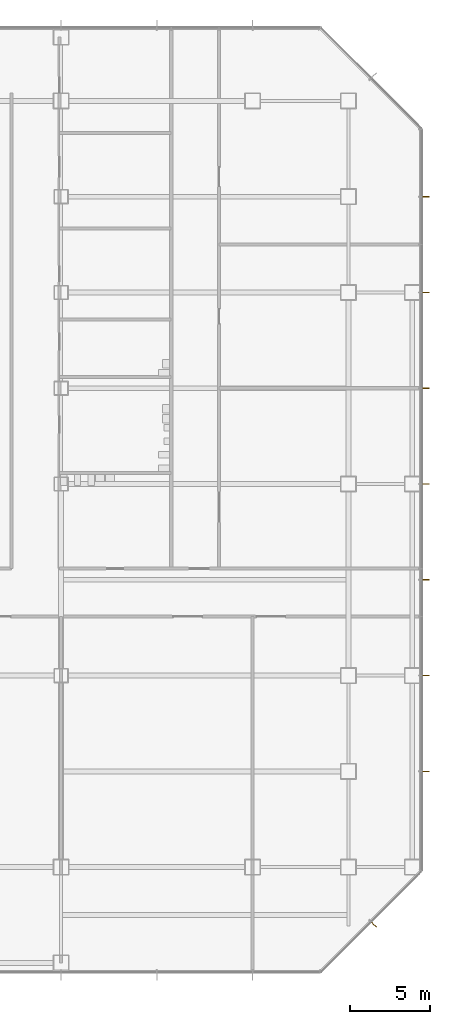
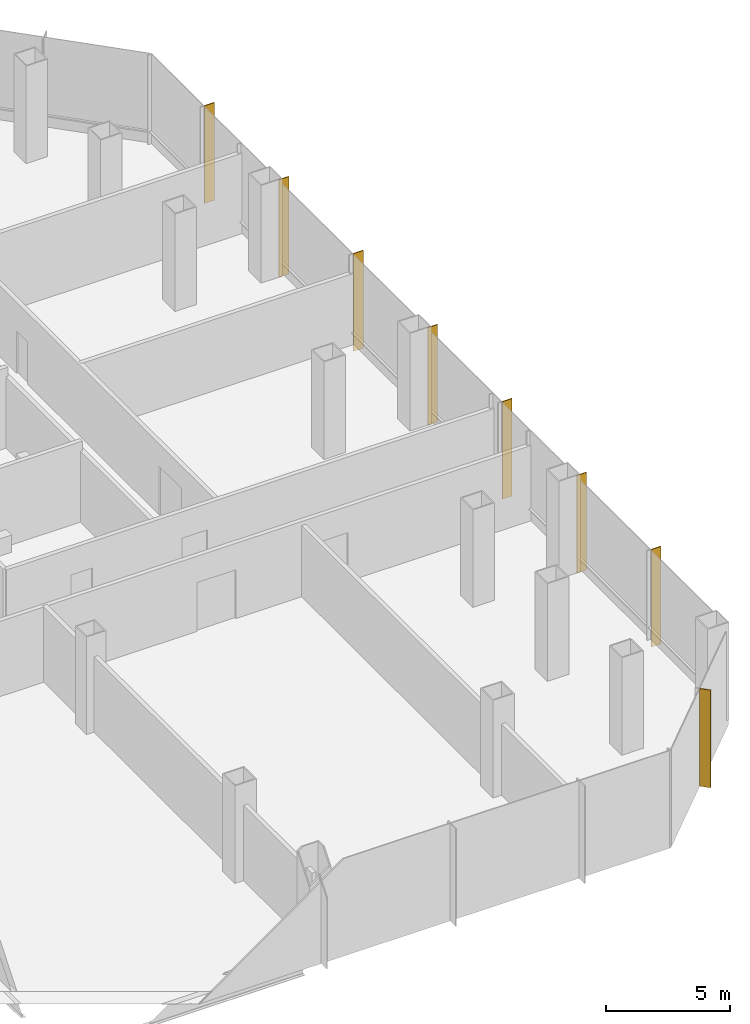
# One storey, part 31 of 33: 8 shading devices.
"""IFC4 building model written with IfcOpenShell, lengths in metres."""

from ifc_helpers import new_model, si_unit, direction, frame, origin, origin_2d, place, context, subcontext, project, spatial, rectangle, extrude, material, material_profile, profile_set, type_object, element, save


model = new_model("IFC4")

# Units and contexts
model_context = context("Model", 3, precision=1e-05, world=origin(), true_north=direction((0.0, 1.0)))
body_context = subcontext(model_context, "Body", "Model", "MODEL_VIEW")
ifc_project = project(units=[si_unit("LENGTHUNIT", "METRE"), si_unit("AREAUNIT", "SQUARE_METRE"), si_unit("VOLUMEUNIT", "CUBIC_METRE"), si_unit("PLANEANGLEUNIT", "RADIAN"), si_unit("MASSUNIT", "GRAM", prefix="KILO")], contexts=[model_context])

# Site, building, storey
site_placement = place(None, origin())
site = spatial("IfcSite", under=ifc_project, at=site_placement, CompositionType="ELEMENT")
building_placement = place(site_placement, origin())
building = spatial("IfcBuilding", under=site, at=building_placement, Name="Sorahane Residences", CompositionType="ELEMENT")
storey_placement = place(building_placement, frame((0.0, 0.0, 25.199951171875)))
storey = spatial("IfcBuildingStorey", under=building, at=storey_placement, Name="L03", CompositionType="ELEMENT", Elevation=25.199951171875)

# Shading devices
ifc_material = material(Name="Terracotta anodised aluminium", Category="masonry")
ifc_material_profile = material_profile(ifc_material, rectangle(XDim=0.449951171875, YDim=0.0400390625, at=origin_2d()), Name="Podium vertical fin terracotta anodised aluminium 450x40")
ifc_profile_set = profile_set([ifc_material_profile], Name="Terracotta anodised aluminium")
shading_device_type = type_object("IfcShadingDeviceType", Name="Podium vertical fin terracotta anodised aluminium 450x40", PredefinedType="USERDEFINED", material=ifc_profile_set)
for number, where, z_axis, x_axis, name in (
    (1, (67.597412109375, -3.597412109375, -0.39990234375), (0.0, 0.0, 1.0), (0.707106781187, -0.707106781187, 0.0), "Podium vertical fin L03 SE1.1"),
    (2, (70.844970703125, 6.0, -0.39990234375), (0.0, 0.0, 1.0), (1.0, 0.0, 0.0), "Podium vertical fin L03 E1.1"),
    (3, (70.844970703125, 12.0, -0.39990234375), (0.0, 0.0, 1.0), (1.0, 0.0, 0.0), "Podium vertical fin L03 E1.2"),
    (4, (70.844970703125, 18.0, -0.39990234375), (0.0, 0.0, 1.0), (1.0, 0.0, 0.0), "Podium vertical fin L03 E1.3"),
    (5, (70.844970703125, 24.0, -0.39990234375), (0.0, 0.0, 1.0), (1.0, 0.0, 0.0), "Podium vertical fin L03 E1.4"),
    (6, (70.844970703125, 30.0, -0.39990234375), (0.0, 0.0, 1.0), (1.0, 0.0, 0.0), "Podium vertical fin L03 E1.5"),
    (7, (70.844970703125, 36.0, -0.39990234375), (0.0, 0.0, 1.0), (1.0, 0.0, 0.0), "Podium vertical fin L03 E1.6"),
    (8, (70.844970703125, 42.0, -0.39990234375), (0.0, 0.0, 1.0), (1.0, 0.0, 0.0), "Podium vertical fin L03 E1.7"),
):
    element("IfcShadingDevice", number, at=place(storey_placement, frame(where, z_axis=z_axis, x_axis=x_axis)), inside=storey, type_object=shading_device_type, Name=name, ObjectType="Vertical fin", PredefinedType="USERDEFINED", context=body_context, shape_type="SweptSolid", body=[
        extrude(rectangle(XDim=0.449951171875, YDim=0.0400390625, at=origin_2d()), origin(), (0.0, 0.0, 1.0), 4.800048828125),
    ])

save(model, "model.ifc")
